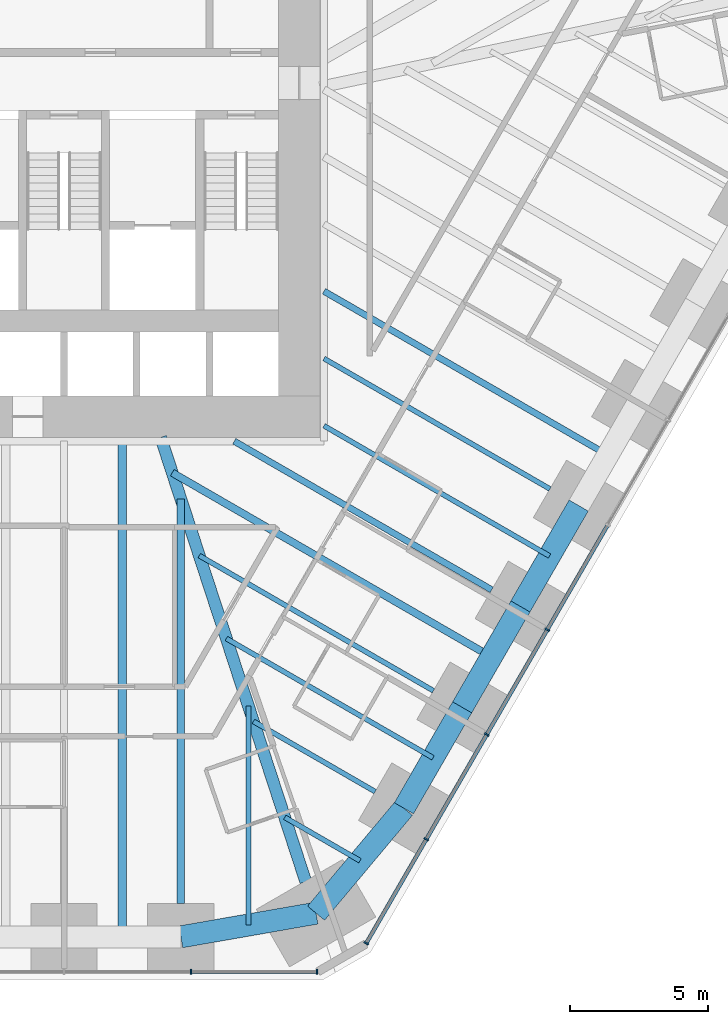
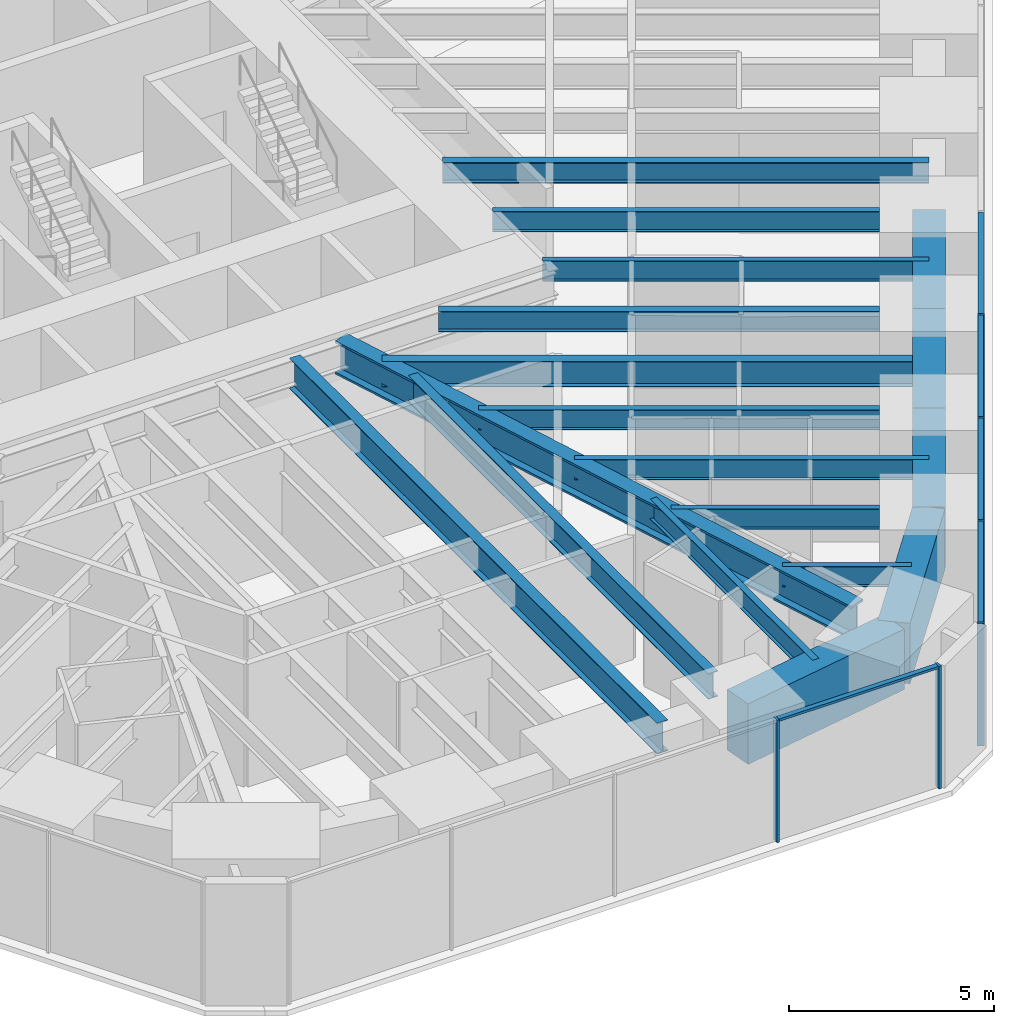
# One storey, part 5 of 17: 18 beams, 11 members, 2 elements without a shape of their own.
"""IFC4 building model written with IfcOpenShell, lengths in metres."""

from ifc_helpers import new_model, si_unit, direction, frame, origin, origin_2d, place, context, subcontext, project, spatial, rectangle, i_section, extrude, material, material_profile, profile_set, type_object, element, aggregate, save


model = new_model("IFC4")

# Units and contexts
model_context = context("Model", 3, precision=1e-05, world=origin(), true_north=direction((0.0, 1.0)))
body_context = subcontext(model_context, "Body", "Model", "MODEL_VIEW")
ifc_project = project(units=[si_unit("LENGTHUNIT", "METRE"), si_unit("AREAUNIT", "SQUARE_METRE"), si_unit("VOLUMEUNIT", "CUBIC_METRE"), si_unit("PLANEANGLEUNIT", "RADIAN"), si_unit("MASSUNIT", "GRAM", prefix="KILO")], contexts=[model_context])

# Site, building, storey
site_placement = place(None, origin())
site = spatial("IfcSite", under=ifc_project, at=site_placement, CompositionType="ELEMENT")
building_placement = place(site_placement, origin())
building = spatial("IfcBuilding", under=site, at=building_placement, Name="Sandreach Pilgrim Tower", CompositionType="ELEMENT")
storey_placement = place(building_placement, frame((0.0, 0.0, 34.39990234375)))
storey = spatial("IfcBuildingStorey", under=building, at=storey_placement, Name="L07", CompositionType="ELEMENT", Elevation=34.39990234375)

# Curtain wall, members
ifc_material_1 = material(Name="Aluminium framed curtain wall", Category="aluminium")
curtain_wall_type = type_object("IfcCurtainWallType", Name="Hostel tower curtain wall", PredefinedType="NOTDEFINED", material=ifc_material_1)
curtain_wall_1_placement = place(storey_placement, origin())
curtain_wall_1 = element("IfcCurtainWall", 1, at=curtain_wall_1_placement, inside=storey, type_object=curtain_wall_type, Name="CW-1 L07 SE", PredefinedType="NOTDEFINED")
ifc_material_2 = material(Name="Aluminium extrusion", Category="aluminium")
ifc_material_profile_1 = material_profile(ifc_material_2, rectangle(XDim=0.06494140625, YDim=0.179931640625, at=origin_2d()), Name="CW-1M 65X180")
ifc_profile_set_1 = profile_set([ifc_material_profile_1], Name="Aluminium extrusion")
member_type_1 = type_object("IfcMemberType", Name="CW-1 mullion", PredefinedType="MULLION", material=ifc_profile_set_1)
member_1_placement = place(storey_placement, frame((17.46142578125, -17.6533203125, 0.0), z_axis=(0.0, 0.0, 1.0), x_axis=(-0.5, -0.866025403784, 0.0)))
member_1 = element("IfcMember", 2, at=member_1_placement, type_object=member_type_1, Name="CW-1 mullion 7", PredefinedType="MULLION", context=body_context, shape_type="SweptSolid", body=[
    extrude(rectangle(XDim=0.06494140625, YDim=0.179931640625, at=origin_2d()), origin(), (0.0, 0.0, 1.0), 3.64013671875),
])
member_2_placement = place(storey_placement, frame((15.275634765625, -21.439208984375, 0.0), z_axis=(0.0, 0.0, 1.0), x_axis=(-0.5, -0.866025403784, 0.0)))
member_2 = element("IfcMember", 3, at=member_2_placement, type_object=member_type_1, Name="CW-1 mullion 8", PredefinedType="MULLION", context=body_context, shape_type="SweptSolid", body=[
    extrude(rectangle(XDim=0.06494140625, YDim=0.179931640625, at=origin_2d()), origin(), (0.0, 0.0, 1.0), 3.64013671875),
])
member_3_placement = place(storey_placement, frame((13.08984375, -25.22509765625, 0.0), z_axis=(0.0, 0.0, 1.0), x_axis=(-0.5, -0.866025403784, 0.0)))
member_3 = element("IfcMember", 4, at=member_3_placement, type_object=member_type_1, Name="CW-1 mullion 9", PredefinedType="MULLION", context=body_context, shape_type="SweptSolid", body=[
    extrude(rectangle(XDim=0.06494140625, YDim=0.179931640625, at=origin_2d()), origin(), (0.0, 0.0, 1.0), 3.64013671875),
])
member_4_placement = place(storey_placement, frame((10.92041015625, -28.982666015625, 0.0), z_axis=(0.0, 0.0, 1.0), x_axis=(-0.5, -0.866025403784, 0.0)))
member_4 = element("IfcMember", 5, at=member_4_placement, type_object=member_type_1, Name="CW-1 mullion 10", PredefinedType="MULLION", context=body_context, shape_type="SweptSolid", body=[
    extrude(rectangle(XDim=0.06494140625, YDim=0.179931640625, at=origin_2d()), origin(), (0.0, 0.0, 1.0), 3.64013671875),
])

curtain_wall_2_placement = place(storey_placement, origin())
curtain_wall_2 = element("IfcCurtainWall", 6, at=curtain_wall_2_placement, inside=storey, type_object=curtain_wall_type, Name="CW-1 L07 S", PredefinedType="NOTDEFINED")
member_5_placement = place(storey_placement, frame((9.1396484375, -30.010986328125, 0.0), z_axis=(0.0, 0.0, 1.0), x_axis=(-1.0, 0.0, 0.0)))
member_5 = element("IfcMember", 7, at=member_5_placement, type_object=member_type_1, Name="CW-1 mullion 1", PredefinedType="MULLION", context=body_context, shape_type="SweptSolid", body=[
    extrude(rectangle(XDim=0.06494140625, YDim=0.179931640625, at=origin_2d()), origin(), (0.0, 0.0, 1.0), 3.64013671875),
])
member_6_placement = place(storey_placement, frame((4.5859375, -30.010986328125, 0.0), z_axis=(0.0, 0.0, 1.0), x_axis=(-1.0, 0.0, 0.0)))
member_6 = element("IfcMember", 8, at=member_6_placement, type_object=member_type_1, Name="CW-1 mullion 2", PredefinedType="MULLION", context=body_context, shape_type="SweptSolid", body=[
    extrude(rectangle(XDim=0.06494140625, YDim=0.179931640625, at=origin_2d()), origin(), (0.0, 0.0, 1.0), 3.64013671875),
])

# Member
ifc_material_3 = material(Name="Aluminium extrusion", Category="aluminium")
ifc_material_profile_2 = material_profile(ifc_material_3, rectangle(XDim=0.139892578125, YDim=0.070068359375, at=origin_2d()), Name="CW-1T 140X70")
ifc_profile_set_2 = profile_set([ifc_material_profile_2], Name="Aluminium extrusion")
member_type_2 = type_object("IfcMemberType", Name="CW-1 transom", PredefinedType="USERDEFINED", material=ifc_profile_set_2)
member_7_placement = place(storey_placement, frame((19.631103515625, -13.8955078125, 3.60498046875), z_axis=(-0.500016891966, -0.866015650984, 0.0), x_axis=(0.866015650984, -0.500016891966, 0.0)))
member_7 = element("IfcMember", 9, at=member_7_placement, type_object=member_type_2, Name="CW-1 head transom 6", ObjectType="TRANSOM", PredefinedType="USERDEFINED", context=body_context, shape_type="SweptSolid", body=[
    extrude(rectangle(XDim=0.139892578125, YDim=0.070068359375, at=origin_2d()), origin(), (0.0, 0.0, 1.0), 4.306396484375),
])

member_8_placement = place(storey_placement, frame((17.4453125, -17.681396484375, 3.60498046875), z_axis=(-0.500016891966, -0.866015650984, 0.0), x_axis=(0.866015650984, -0.500016891966, 0.0)))
member_8 = element("IfcMember", 10, at=member_8_placement, type_object=member_type_2, Name="CW-1 head transom 7", ObjectType="TRANSOM", PredefinedType="USERDEFINED", context=body_context, shape_type="SweptSolid", body=[
    extrude(rectangle(XDim=0.139892578125, YDim=0.070068359375, at=origin_2d()), origin(), (0.0, 0.0, 1.0), 4.306396484375),
])

member_9_placement = place(storey_placement, frame((15.259521484375, -21.46728515625, 3.60498046875), z_axis=(-0.500016891966, -0.866015650984, 0.0), x_axis=(0.866015650984, -0.500016891966, 0.0)))
member_9 = element("IfcMember", 11, at=member_9_placement, type_object=member_type_2, Name="CW-1 head transom 8", ObjectType="TRANSOM", PredefinedType="USERDEFINED", context=body_context, shape_type="SweptSolid", body=[
    extrude(rectangle(XDim=0.139892578125, YDim=0.070068359375, at=origin_2d()), origin(), (0.0, 0.0, 1.0), 4.306396484375),
])

member_10_placement = place(storey_placement, frame((13.07373046875, -25.253173828125, 3.60498046875), z_axis=(-0.500033953635, -0.866005799756, 0.0), x_axis=(0.866005799756, -0.500033953635, 0.0)))
member_10 = element("IfcMember", 12, at=member_10_placement, type_object=member_type_2, Name="CW-1 head transom 9", ObjectType="TRANSOM", PredefinedType="USERDEFINED", context=body_context, shape_type="SweptSolid", body=[
    extrude(rectangle(XDim=0.139892578125, YDim=0.070068359375, at=origin_2d()), origin(), (0.0, 0.0, 1.0), 4.274169921875),
])

aggregate(curtain_wall_1, [member_1, member_2, member_3, member_4, member_7, member_8, member_9, member_10])

member_11_placement = place(storey_placement, frame((9.107177734375, -30.010986328125, 3.60498046875), z_axis=(-1.0, 0.0, 0.0), x_axis=(0.0, -1.0, 0.0)))
member_11 = element("IfcMember", 13, at=member_11_placement, type_object=member_type_2, Name="CW-1 head transom 1", ObjectType="TRANSOM", PredefinedType="USERDEFINED", context=body_context, shape_type="SweptSolid", body=[
    extrude(rectangle(XDim=0.139892578125, YDim=0.070068359375, at=origin_2d()), origin(), (0.0, 0.0, 1.0), 4.488525390625),
])

aggregate(curtain_wall_2, [member_5, member_6, member_11])

# Beams
ifc_material_4 = material(Name="Steel ASTM A992 Grade 50", Category="steel")
ifc_material_profile_3 = material_profile(ifc_material_4, i_section(OverallWidth=0.431884765625, OverallDepth=0.988037109375, WebThickness=0.034423828125, FlangeThickness=0.06201171875, at=origin_2d()), Name="W36X441")
ifc_profile_set_3 = profile_set([ifc_material_profile_3], Name="Steel ASTM A992 Grade 50")
beam_type_1 = type_object("IfcBeamType", Name="Corner girder W36X441", PredefinedType="BEAM", material=ifc_profile_set_3)
beam_1_placement = place(storey_placement, frame((8.73388671875, -26.756103515625, 3.14599609375), z_axis=(-0.310315410754, 0.950633654911, 0.0), x_axis=(-0.950633654911, -0.310315410754, 0.0)))
element("IfcBeam", 14, at=beam_1_placement, inside=storey, type_object=beam_type_1, Name="BM L07 CG22", PredefinedType="BEAM", context=body_context, shape_type="SweptSolid", body=[
    extrude(i_section(OverallWidth=0.431884765625, OverallDepth=0.988037109375, WebThickness=0.034423828125, FlangeThickness=0.06201171875, at=origin_2d()), origin(), (0.0, 0.0, 1.0), 16.889892578125),
])
ifc_material_5 = material(Name="Steel ASTM A992 Grade 50", Category="steel")
ifc_material_profile_4 = material_profile(ifc_material_5, i_section(OverallWidth=0.1787109375, OverallDepth=0.60205078125, WebThickness=0.010986328125, FlangeThickness=0.014892578125, at=origin_2d()), Name="W24X62")
ifc_profile_set_4 = profile_set([ifc_material_profile_4], Name="Steel ASTM A992 Grade 50")
beam_type_2 = type_object("IfcBeamType", Name="Floor beam W24X62", PredefinedType="BEAM", material=ifc_profile_set_4)
beam_2_placement = place(storey_placement, frame((17.557373046875, -12.5673828125, 3.339111328125), z_axis=(-0.866020839647, 0.500007905235, 0.0), x_axis=(-0.500007905235, -0.866020839647, 0.0)))
element("IfcBeam", 15, at=beam_2_placement, inside=storey, type_object=beam_type_2, Name="BM L07 F18", PredefinedType="BEAM", context=body_context, shape_type="SweptSolid", body=[
    extrude(i_section(OverallWidth=0.1787109375, OverallDepth=0.60205078125, WebThickness=0.010986328125, FlangeThickness=0.014892578125, at=origin_2d()), origin(), (0.0, 0.0, 1.0), 9.427001953125),
])
beam_3_placement = place(storey_placement, frame((13.347412109375, -19.859130859375, 3.339111328125), z_axis=(-0.866025751498, 0.499999397742, 0.0), x_axis=(-0.499999397742, -0.866025751498, 0.0)))
element("IfcBeam", 16, at=beam_3_placement, inside=storey, type_object=beam_type_2, Name="BM L07 F20", PredefinedType="BEAM", context=body_context, shape_type="SweptSolid", body=[
    extrude(i_section(OverallWidth=0.1787109375, OverallDepth=0.60205078125, WebThickness=0.010986328125, FlangeThickness=0.014892578125, at=origin_2d()), origin(), (0.0, 0.0, 1.0), 9.767578125),
])
beam_4_placement = place(storey_placement, frame((11.242431640625, -23.5048828125, 3.339111328125), z_axis=(-0.866027897259, 0.49999568115, 0.0), x_axis=(-0.49999568115, -0.866027897259, 0.0)))
element("IfcBeam", 17, at=beam_4_placement, inside=storey, type_object=beam_type_2, Name="BM L07 F21", PredefinedType="BEAM", context=body_context, shape_type="SweptSolid", body=[
    extrude(i_section(OverallWidth=0.1787109375, OverallDepth=0.60205078125, WebThickness=0.010986328125, FlangeThickness=0.014892578125, at=origin_2d()), origin(), (0.0, 0.0, 1.0), 5.0791015625),
])
beam_5_placement = place(storey_placement, frame((17.5439453125, -14.990234375, 3.339111328125), z_axis=(-0.86602359238, 0.500003137431, 0.0), x_axis=(-0.500003137431, -0.86602359238, 0.0)))
element("IfcBeam", 18, at=beam_5_placement, inside=storey, type_object=beam_type_2, Name="BM L07 FM18", PredefinedType="BEAM", context=body_context, shape_type="SweptSolid", body=[
    extrude(i_section(OverallWidth=0.1787109375, OverallDepth=0.60205078125, WebThickness=0.010986328125, FlangeThickness=0.014892578125, at=origin_2d()), origin(), (0.0, 0.0, 1.0), 9.41162109375),
])
beam_6_placement = place(storey_placement, frame((13.334228515625, -22.281982421875, 3.339111328125), z_axis=(-0.86602717807, 0.499996926835, 0.0), x_axis=(-0.499996926835, -0.86602717807, 0.0)))
element("IfcBeam", 19, at=beam_6_placement, inside=storey, type_object=beam_type_2, Name="BM L07 FM20", PredefinedType="BEAM", context=body_context, shape_type="SweptSolid", body=[
    extrude(i_section(OverallWidth=0.1787109375, OverallDepth=0.60205078125, WebThickness=0.010986328125, FlangeThickness=0.014892578125, at=origin_2d()), origin(), (0.0, 0.0, 1.0), 8.62353515625),
])
beam_7_placement = place(storey_placement, frame((10.694091796875, -26.0009765625, 3.339111328125), z_axis=(-0.866023718453, 0.500002919068, 0.0), x_axis=(-0.500002919068, -0.866023718453, 0.0)))
element("IfcBeam", 20, at=beam_7_placement, inside=storey, type_object=beam_type_2, Name="BM L07 FM21", PredefinedType="BEAM", context=body_context, shape_type="SweptSolid", body=[
    extrude(i_section(OverallWidth=0.1787109375, OverallDepth=0.60205078125, WebThickness=0.010986328125, FlangeThickness=0.014892578125, at=origin_2d()), origin(), (0.0, 0.0, 1.0), 3.1396484375),
])
beam_8_placement = place(storey_placement, frame((6.664306640625, -28.323974609375, 3.339111328125), z_axis=(0.0, 1.0, 0.0), x_axis=(-1.0, 0.0, 0.0)))
element("IfcBeam", 21, at=beam_8_placement, inside=storey, type_object=beam_type_2, Name="BM L07 FM22", PredefinedType="BEAM", context=body_context, shape_type="SweptSolid", body=[
    extrude(i_section(OverallWidth=0.1787109375, OverallDepth=0.60205078125, WebThickness=0.010986328125, FlangeThickness=0.014892578125, at=origin_2d()), origin(), (0.0, 0.0, 1.0), 7.907958984375),
])
ifc_material_6 = material(Name="Steel ASTM A992 Grade 50", Category="steel")
ifc_material_profile_5 = material_profile(ifc_material_6, i_section(OverallWidth=0.23046875, OverallDepth=0.6171875, WebThickness=0.01318359375, FlangeThickness=0.022216796875, at=origin_2d()), Name="W24X94")
ifc_profile_set_5 = profile_set([ifc_material_profile_5], Name="Steel ASTM A992 Grade 50")
beam_type_3 = type_object("IfcBeamType", Name="Floor beam W24X94", PredefinedType="BEAM", material=ifc_profile_set_5)
beam_9_placement = place(storey_placement, frame((15.452392578125, -16.213134765625, 3.33154296875), z_axis=(-0.866028486751, 0.499994660107, 0.0), x_axis=(-0.499994660107, -0.866028486751, 0.0)))
element("IfcBeam", 22, at=beam_9_placement, inside=storey, type_object=beam_type_3, Name="BM L07 F19", PredefinedType="BEAM", context=body_context, shape_type="SweptSolid", body=[
    extrude(i_section(OverallWidth=0.23046875, OverallDepth=0.6171875, WebThickness=0.01318359375, FlangeThickness=0.022216796875, at=origin_2d()), origin(), (0.0, 0.0, 1.0), 10.73974609375),
])
beam_10_placement = place(storey_placement, frame((19.64892578125, -11.34423828125, 3.33154296875), z_axis=(-0.866032123691, 0.4999883606, 0.0), x_axis=(-0.4999883606, -0.866032123691, 0.0)))
element("IfcBeam", 23, at=beam_10_placement, inside=storey, type_object=beam_type_3, Name="BM L07 FM17", PredefinedType="BEAM", context=body_context, shape_type="SweptSolid", body=[
    extrude(i_section(OverallWidth=0.23046875, OverallDepth=0.6171875, WebThickness=0.01318359375, FlangeThickness=0.022216796875, at=origin_2d()), origin(), (0.0, 0.0, 1.0), 11.842041015625),
])
ifc_material_7 = material(Name="Steel ASTM A992 Grade 50", Category="steel")
ifc_material_profile_6 = material_profile(ifc_material_7, i_section(OverallWidth=0.2666015625, OverallDepth=0.761962890625, WebThickness=0.014404296875, FlangeThickness=0.021484375, at=origin_2d()), Name="W30X116")
ifc_profile_set_6 = profile_set([ifc_material_profile_6], Name="Steel ASTM A992 Grade 50")
beam_type_4 = type_object("IfcBeamType", Name="Floor beam W30X116", PredefinedType="BEAM", material=ifc_profile_set_6)
beam_11_placement = place(storey_placement, frame((4.222412109375, -27.55078125, 3.259033203125), z_axis=(0.0, 1.0, 0.0), x_axis=(-1.0, 0.0, 0.0)))
element("IfcBeam", 24, at=beam_11_placement, inside=storey, type_object=beam_type_4, Name="BM L07 F23", PredefinedType="BEAM", context=body_context, shape_type="SweptSolid", body=[
    extrude(i_section(OverallWidth=0.2666015625, OverallDepth=0.761962890625, WebThickness=0.014404296875, FlangeThickness=0.021484375, at=origin_2d()), origin(), (0.0, 0.0, 1.0), 14.61572265625),
])
beam_12_placement = place(storey_placement, frame((15.43896484375, -18.63623046875, 3.259033203125), z_axis=(-0.866021271874, 0.50000715661, 0.0), x_axis=(-0.50000715661, -0.866021271874, 0.0)))
element("IfcBeam", 25, at=beam_12_placement, inside=storey, type_object=beam_type_4, Name="BM L07 FM19", PredefinedType="BEAM", context=body_context, shape_type="SweptSolid", body=[
    extrude(i_section(OverallWidth=0.2666015625, OverallDepth=0.761962890625, WebThickness=0.014404296875, FlangeThickness=0.021484375, at=origin_2d()), origin(), (0.0, 0.0, 1.0), 13.311767578125),
])
ifc_material_8 = material(Name="Steel ASTM A992 Grade 50", Category="steel")
ifc_material_profile_7 = material_profile(ifc_material_8, i_section(OverallWidth=0.3046875, OverallDepth=0.914306640625, WebThickness=0.0166015625, FlangeThickness=0.02587890625, at=origin_2d()), Name="W36X160")
ifc_profile_set_7 = profile_set([ifc_material_profile_7], Name="Steel ASTM A992 Grade 50")
beam_type_5 = type_object("IfcBeamType", Name="Floor beam W36X160", PredefinedType="BEAM", material=ifc_profile_set_7)
beam_13_placement = place(storey_placement, frame((2.111083984375, -28.7509765625, 3.182861328125), z_axis=(0.0, 1.0, 0.0), x_axis=(-1.0, 0.0, 0.0)))
element("IfcBeam", 26, at=beam_13_placement, inside=storey, type_object=beam_type_5, Name="BM L07 FM23", PredefinedType="BEAM", context=body_context, shape_type="SweptSolid", body=[
    extrude(i_section(OverallWidth=0.3046875, OverallDepth=0.914306640625, WebThickness=0.0166015625, FlangeThickness=0.02587890625, at=origin_2d()), origin(), (0.0, 0.0, 1.0), 17.90771484375),
])
ifc_material_9 = material(Name="Concrete 10000 psi", Category="concrete")
ifc_material_profile_8 = material_profile(ifc_material_9, rectangle(XDim=0.800048828125, YDim=1.800048828125, at=origin_2d()), Name="RC800X1800")
ifc_profile_set_8 = profile_set([ifc_material_profile_8], Name="Concrete 10000 psi")
beam_type_6 = type_object("IfcBeamType", Name="Spandrel beam RC800X1800", PredefinedType="SPANDREL", material=ifc_profile_set_8)
beam_14_placement = place(storey_placement, frame((18.596435546875, -13.167236328125, 2.739990234375), z_axis=(-0.499993523031, -0.866029143232, 0.0), x_axis=(0.866029143232, -0.499993523031, 0.0)))
element("IfcBeam", 27, at=beam_14_placement, inside=storey, type_object=beam_type_6, Name="BM L07 SP18", PredefinedType="SPANDREL", context=body_context, shape_type="SweptSolid", body=[
    extrude(rectangle(XDim=0.800048828125, YDim=1.800048828125, at=origin_2d()), origin(), (0.0, 0.0, 1.0), 4.2099609375),
])
beam_15_placement = place(storey_placement, frame((16.491455078125, -16.813232421875, 2.739990234375), z_axis=(-0.499975138639, -0.866039757022, 0.0), x_axis=(0.866039757022, -0.499975138639, 0.0)))
element("IfcBeam", 28, at=beam_15_placement, inside=storey, type_object=beam_type_6, Name="BM L07 SP19", PredefinedType="SPANDREL", context=body_context, shape_type="SweptSolid", body=[
    extrude(rectangle(XDim=0.800048828125, YDim=1.800048828125, at=origin_2d()), origin(), (0.0, 0.0, 1.0), 4.209716796875),
])
beam_16_placement = place(storey_placement, frame((14.38671875, -20.458984375, 2.739990234375), z_axis=(-0.499993523031, -0.866029143232, 0.0), x_axis=(0.866029143232, -0.499993523031, 0.0)))
element("IfcBeam", 29, at=beam_16_placement, inside=storey, type_object=beam_type_6, Name="BM L07 SP20", PredefinedType="SPANDREL", context=body_context, shape_type="SweptSolid", body=[
    extrude(rectangle(XDim=0.800048828125, YDim=1.800048828125, at=origin_2d()), origin(), (0.0, 0.0, 1.0), 4.2099609375),
])
beam_17_placement = place(storey_placement, frame((12.28173828125, -24.10498046875, 2.739990234375), z_axis=(-0.642008193922, -0.766697775488, 0.0), x_axis=(0.766697775488, -0.642008193922, 0.0)))
element("IfcBeam", 30, at=beam_17_placement, inside=storey, type_object=beam_type_6, Name="BM L07 SP21", PredefinedType="SPANDREL", context=body_context, shape_type="SweptSolid", body=[
    extrude(rectangle(XDim=0.800048828125, YDim=1.800048828125, at=origin_2d()), origin(), (0.0, 0.0, 1.0), 4.94580078125),
])
beam_18_placement = place(storey_placement, frame((9.1064453125, -27.89697265625, 2.739990234375), z_axis=(-0.985054495501, -0.17224297052, 0.0), x_axis=(0.17224297052, -0.985054495501, 0.0)))
element("IfcBeam", 31, at=beam_18_placement, inside=storey, type_object=beam_type_6, Name="BM L07 SP22", PredefinedType="SPANDREL", context=body_context, shape_type="SweptSolid", body=[
    extrude(rectangle(XDim=0.800048828125, YDim=1.800048828125, at=origin_2d()), origin(), (0.0, 0.0, 1.0), 4.958251953125),
])

save(model, "model.ifc")
